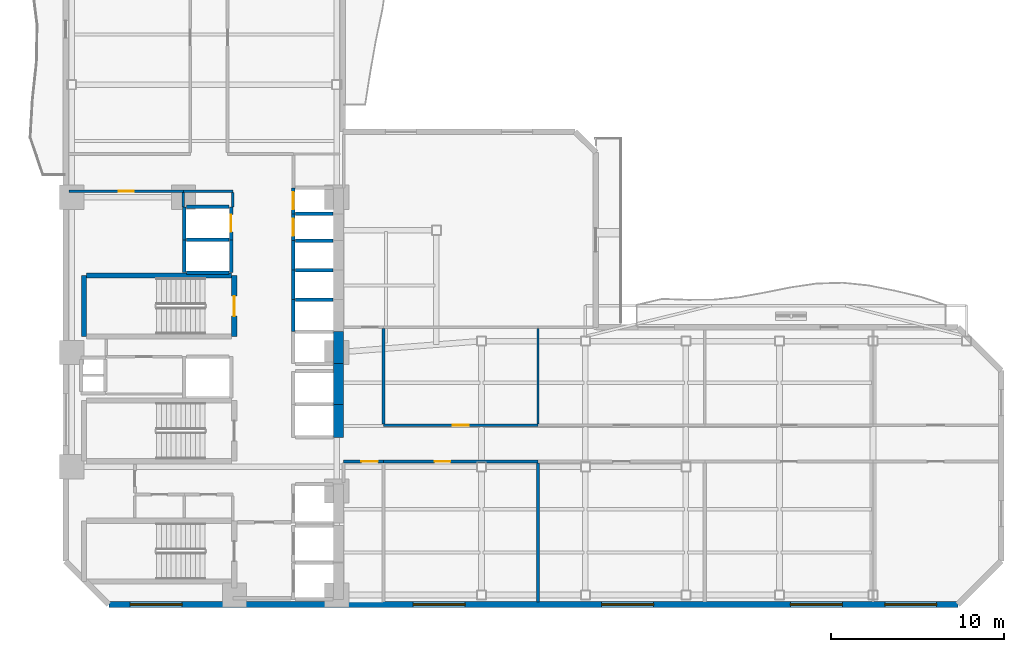
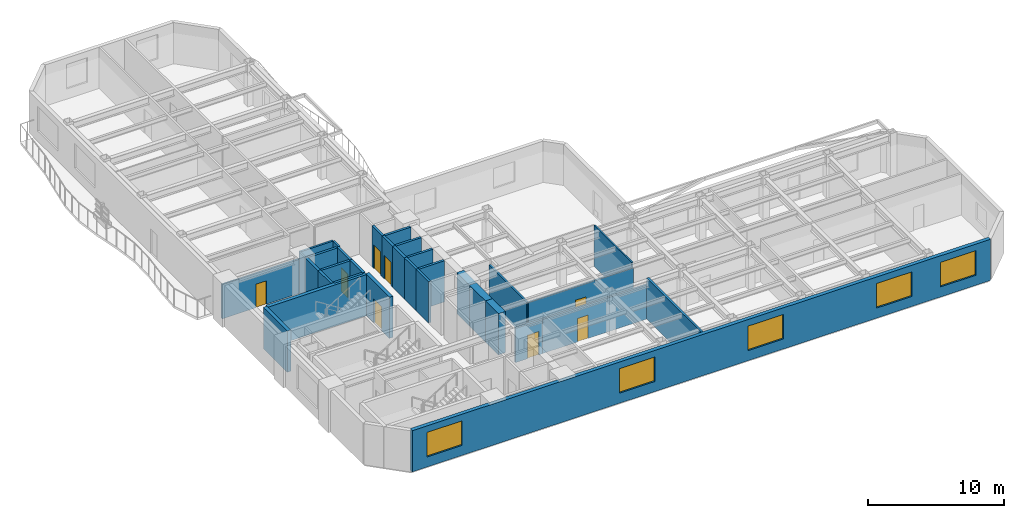
# One storey, part 4 of 10: 33 walls, 8 doors, 5 windows, 13 openings.
"""IFC4 building model written with IfcOpenShell, lengths in metres."""

from ifc_helpers import new_model, si_unit, direction, frame, frame_2d, origin, place, context, subcontext, project, spatial, rectangle, extrude, material, layer, layer_set, type_object, element, fill, save


model = new_model("IFC4")

# Units and contexts
model_context = context("Model", 3, precision=1e-05, world=origin(), true_north=direction((0.0, 1.0)))
body_context = subcontext(model_context, "Body", "Model", "MODEL_VIEW")
ifc_project = project(units=[si_unit("LENGTHUNIT", "METRE"), si_unit("AREAUNIT", "SQUARE_METRE"), si_unit("VOLUMEUNIT", "CUBIC_METRE"), si_unit("PLANEANGLEUNIT", "RADIAN"), si_unit("MASSUNIT", "GRAM", prefix="KILO")], contexts=[model_context])

# Site, building, storey
site_placement = place(None, origin())
site = spatial("IfcSite", under=ifc_project, at=site_placement, CompositionType="ELEMENT")
building_placement = place(site_placement, origin())
building = spatial("IfcBuilding", under=site, at=building_placement, Name="Mawjaban Terraces University", CompositionType="ELEMENT")
storey_placement = place(building_placement, frame((0.0, 0.0, 50.5)))
storey = spatial("IfcBuildingStorey", under=building, at=storey_placement, Name="L11", CompositionType="ELEMENT", Elevation=50.5)

# Wall, opening, door
ifc_material_1 = material(Name="Acoustic masonry blockwork", Category="masonry")
ifc_layer_1 = layer(ifc_material_1, 0.179931640625)
ifc_layer_set_1 = layer_set([ifc_layer_1], Name="Acoustic masonry blockwork")
wall_type_1 = type_object("IfcWallType", Name="AcousticStudioWall_180", PredefinedType="PARTITIONING", material=ifc_layer_set_1)
wall_1_placement = place(storey_placement, frame((38.050048828125, 8.25, 0.0), z_axis=(0.0, 0.0, 1.0), x_axis=(1.0, 0.0, 0.0)))
wall_1 = element("IfcWall", 1, at=wall_1_placement, inside=storey, type_object=wall_type_1, Name="L11 East Academic Corridor Vestibule Partition 14", PredefinedType="PARTITIONING", context=body_context, shape_type="SweptSolid", body=[
    extrude(rectangle(XDim=2.300048828125, YDim=0.179931640625, at=frame_2d((1.14990234375, 0.0))), origin(), (0.0, 0.0, 1.0), 3.054931640625),
])
opening_1_placement = place(wall_1_placement, frame((1.02490234375, 0.0, 0.0)))
opening_1 = element("IfcOpeningElement", 2, at=opening_1_placement, cuts=wall_1, Name="Opening ID-095", PredefinedType="OPENING", context=body_context, shape_type="SweptSolid", body=[
    extrude(rectangle(XDim=0.949951171875, YDim=2.10009765625, at=frame_2d((0.47509765625, 1.050048828125))), frame((0.0, 0.099853515625, 0.0), z_axis=(0.0, -1.0, 0.0), x_axis=(1.0, 0.0, 0.0)), (0.0, 0.0, 1.0), 0.199951171875),
])
ifc_material_2 = material(Name="Powder-coated steel frame and solid acoustic timber leaf", Category="steel")
door_type_1 = type_object("IfcDoorType", Name="StudioDoor_950x2100", OperationType="NOTDEFINED", PredefinedType="DOOR", material=ifc_material_2)
door_1_placement = place(opening_1_placement, origin())
door_1 = element("IfcDoor", 3, at=door_1_placement, inside=storey, type_object=door_type_1, Name="L11 Media Workshop 1 Door", OperationType="SINGLE_SWING_LEFT", OverallHeight=2.10009765625, OverallWidth=0.949951171875, PredefinedType="DOOR", context=body_context, shape_type="SweptSolid", body=[
    extrude(rectangle(XDim=0.949951171875, YDim=2.10009765625, at=frame_2d((0.47509765625, 1.050048828125))), frame((0.0, 0.02490234375, 0.0), z_axis=(0.0, -1.0, 0.0), x_axis=(1.0, 0.0, 0.0)), (0.0, 0.0, 1.0), 0.050048828125),
])
fill(opening_1, door_1)

# Walls
wall_2_placement = place(storey_placement, frame((49.260009765625, 0.155029296875, 0.0), z_axis=(0.0, 0.0, 1.0), x_axis=(0.0, 1.0, 0.0)))
element("IfcWall", 4, at=wall_2_placement, inside=storey, type_object=wall_type_1, Name="L11 Quiet Reading Room 2 Partition 42", PredefinedType="PARTITIONING", context=body_context, shape_type="SweptSolid", body=[
    extrude(rectangle(XDim=8.010009765625, YDim=0.179931640625, at=frame_2d((4.0048828125, 0.0))), origin(), (0.0, 0.0, 1.0), 3.68994140625),
])
ifc_material_3 = material(Name="Concrete C70/85", Category="concrete")
ifc_layer_2 = layer(ifc_material_3, 0.60009765625)
ifc_layer_set_2 = layer_set([ifc_layer_2], Name="Concrete C70/85")
wall_type_2 = type_object("IfcWallType", Name="CoreShearWall_600", PredefinedType="SHEAR", material=ifc_layer_set_2)
wall_3_placement = place(storey_placement, frame((37.75, 9.64990234375, 0.0), z_axis=(0.0, 0.0, 1.0), x_axis=(0.0, 1.0, 0.0)))
element("IfcWall", 5, at=wall_3_placement, inside=storey, type_object=wall_type_2, Name="L11 Lift PL-H1 Hoistway Wall East", PredefinedType="SHEAR", context=body_context, shape_type="SweptSolid", body=[
    extrude(rectangle(XDim=1.900146484375, YDim=0.60009765625, at=frame_2d((0.9501953125, 0.0))), origin(), (0.0, 0.0, 1.0), 3.68994140625),
])
wall_4_placement = place(storey_placement, frame((37.75, 11.550048828125, 0.0), z_axis=(0.0, 0.0, 1.0), x_axis=(0.0, 1.0, 0.0)))
element("IfcWall", 6, at=wall_4_placement, inside=storey, type_object=wall_type_2, Name="L11 Lift PL-H2 Hoistway Wall East", PredefinedType="SHEAR", context=body_context, shape_type="SweptSolid", body=[
    extrude(rectangle(XDim=2.349853515625, YDim=0.60009765625, at=frame_2d((1.1748046875, 0.0))), origin(), (0.0, 0.0, 1.0), 3.68994140625),
])
wall_5_placement = place(storey_placement, frame((37.75, 13.89990234375, 0.0), z_axis=(0.0, 0.0, 1.0), x_axis=(0.0, 1.0, 0.0)))
element("IfcWall", 7, at=wall_5_placement, inside=storey, type_object=wall_type_2, Name="L11 Lift OL-1 Hoistway Wall East", PredefinedType="SHEAR", context=body_context, shape_type="SweptSolid", body=[
    extrude(rectangle(XDim=1.85009765625, YDim=0.60009765625, at=frame_2d((0.925048828125, 0.0))), origin(), (0.0, 0.0, 1.0), 3.68994140625),
])

# Wall, opening, door
ifc_material_4 = material(Name="Fire-rated gypsum board on steel stud", Category="steel")
ifc_layer_3 = layer(ifc_material_4, 0.159912109375)
ifc_layer_set_3 = layer_set([ifc_layer_3], Name="Fire-rated gypsum board on steel stud")
wall_type_3 = type_object("IfcWallType", Name="CorridorPartition_160", PredefinedType="PARTITIONING", material=ifc_layer_set_3)
wall_6_placement = place(storey_placement, frame((28.800048828125, 23.85009765625, 0.0), z_axis=(0.0, 0.0, 1.0), x_axis=(-1.0, 0.0, 0.0)))
wall_6 = element("IfcWall", 8, at=wall_6_placement, inside=storey, type_object=wall_type_3, Name="L11 Female Toilet Partition 4", PredefinedType="PARTITIONING", context=body_context, shape_type="SweptSolid", body=[
    extrude(rectangle(XDim=6.60009765625, YDim=0.159912109375, at=frame_2d((3.300048828125, 0.0))), origin(), (0.0, 0.0, 1.0), 3.054931640625),
])
opening_2_placement = place(wall_6_placement, frame((2.860107421875, 0.0, 0.0)))
opening_2 = element("IfcOpeningElement", 9, at=opening_2_placement, cuts=wall_6, Name="Opening ID-088", PredefinedType="OPENING", context=body_context, shape_type="SweptSolid", body=[
    extrude(rectangle(XDim=0.8798828125, YDim=2.10009765625, at=frame_2d((0.43994140625, 1.050048828125))), frame((0.0, 0.08984375, 0.0), z_axis=(0.0, -1.0, 0.0), x_axis=(1.0, 0.0, 0.0)), (0.0, 0.0, 1.0), 0.179931640625),
])
door_type_2 = type_object("IfcDoorType", Name="ToiletDoor_880x2100", OperationType="NOTDEFINED", PredefinedType="DOOR", material=ifc_material_2)
door_2_placement = place(opening_2_placement, origin())
door_2 = element("IfcDoor", 10, at=door_2_placement, inside=storey, type_object=door_type_2, Name="L11 Female Toilet Door", OperationType="SINGLE_SWING_RIGHT", OverallHeight=2.10009765625, OverallWidth=0.8798828125, PredefinedType="DOOR", context=body_context, shape_type="SweptSolid", body=[
    extrude(rectangle(XDim=0.8798828125, YDim=2.10009765625, at=frame_2d((0.43994140625, 1.050048828125))), frame((0.0, 0.02490234375, 0.0), z_axis=(0.0, -1.0, 0.0), x_axis=(1.0, 0.0, 0.0)), (0.0, 0.0, 1.0), 0.050048828125),
])
fill(opening_2, door_2)

# Wall
wall_7_placement = place(storey_placement, frame((28.800048828125, 23.85009765625, 0.0), z_axis=(0.0, 0.0, 1.0), x_axis=(1.0, 0.0, 0.0)))
element("IfcWall", 11, at=wall_7_placement, inside=storey, type_object=wall_type_3, Name="L11 North Core Cross-Corridor Partition 5", PredefinedType="PARTITIONING", context=body_context, shape_type="SweptSolid", body=[
    extrude(rectangle(XDim=2.849853515625, YDim=0.159912109375, at=frame_2d((1.4248046875, 0.0))), origin(), (0.0, 0.0, 1.0), 3.68994140625),
])

# Wall, opening, door
wall_8_placement = place(storey_placement, frame((40.35009765625, 8.25, 0.0), z_axis=(0.0, 0.0, 1.0), x_axis=(1.0, 0.0, 0.0)))
wall_8 = element("IfcWall", 12, at=wall_8_placement, inside=storey, type_object=wall_type_3, Name="L11 East Academic Spine Corridor Partition 15", PredefinedType="PARTITIONING", context=body_context, shape_type="SweptSolid", body=[
    extrude(rectangle(XDim=8.909912109375, YDim=0.159912109375, at=frame_2d((4.455078125, 0.0))), origin(), (0.0, 0.0, 1.0), 3.054931640625),
])
opening_3_placement = place(wall_8_placement, frame((2.955078125, 0.0, 0.0)))
opening_3 = element("IfcOpeningElement", 13, at=opening_3_placement, cuts=wall_8, Name="Opening ID-090", PredefinedType="OPENING", context=body_context, shape_type="SweptSolid", body=[
    extrude(rectangle(XDim=0.89990234375, YDim=2.10009765625, at=frame_2d((0.449951171875, 1.050048828125))), frame((0.0, 0.08984375, 0.0), z_axis=(0.0, -1.0, 0.0), x_axis=(1.0, 0.0, 0.0)), (0.0, 0.0, 1.0), 0.179931640625),
])
door_type_3 = type_object("IfcDoorType", Name="OfficeDoor_900x2100", OperationType="NOTDEFINED", PredefinedType="DOOR", material=ifc_material_2)
door_3_placement = place(opening_3_placement, origin())
door_3 = element("IfcDoor", 14, at=door_3_placement, inside=storey, type_object=door_type_3, Name="L11 Quiet Reading Room 2 Door", OperationType="SINGLE_SWING_RIGHT", OverallHeight=2.10009765625, OverallWidth=0.89990234375, PredefinedType="DOOR", context=body_context, shape_type="SweptSolid", body=[
    extrude(rectangle(XDim=0.89990234375, YDim=2.10009765625, at=frame_2d((0.449951171875, 1.050048828125))), frame((0.0, 0.02490234375, 0.0), z_axis=(0.0, -1.0, 0.0), x_axis=(1.0, 0.0, 0.0)), (0.0, 0.0, 1.0), 0.050048828125),
])
fill(opening_3, door_3)

wall_9_placement = place(storey_placement, frame((49.260009765625, 10.35009765625, 0.0), z_axis=(0.0, 0.0, 1.0), x_axis=(-1.0, 0.0, 0.0)))
wall_9 = element("IfcWall", 15, at=wall_9_placement, inside=storey, type_object=wall_type_3, Name="L11 East Academic Spine Corridor Partition 18", PredefinedType="PARTITIONING", context=body_context, shape_type="SweptSolid", body=[
    extrude(rectangle(XDim=8.909912109375, YDim=0.159912109375, at=frame_2d((4.455078125, 0.0))), origin(), (0.0, 0.0, 1.0), 3.277099609375),
])
opening_4_placement = place(wall_9_placement, frame((4.0048828125, 0.0, 0.0)))
opening_4 = element("IfcOpeningElement", 16, at=opening_4_placement, cuts=wall_9, Name="Opening ID-090", PredefinedType="OPENING", context=body_context, shape_type="SweptSolid", body=[
    extrude(rectangle(XDim=0.89990234375, YDim=2.10009765625, at=frame_2d((0.449951171875, 1.050048828125))), frame((0.0, 0.08984375, 0.0), z_axis=(0.0, -1.0, 0.0), x_axis=(1.0, 0.0, 0.0)), (0.0, 0.0, 1.0), 0.179931640625),
])
door_4_placement = place(opening_4_placement, origin())
door_4 = element("IfcDoor", 17, at=door_4_placement, inside=storey, type_object=door_type_3, Name="L11 Reading Salon 3 Door", OperationType="SINGLE_SWING_LEFT", OverallHeight=2.10009765625, OverallWidth=0.89990234375, PredefinedType="DOOR", context=body_context, shape_type="SweptSolid", body=[
    extrude(rectangle(XDim=0.89990234375, YDim=2.10009765625, at=frame_2d((0.449951171875, 1.050048828125))), frame((0.0, 0.02490234375, 0.0), z_axis=(0.0, -1.0, 0.0), x_axis=(1.0, 0.0, 0.0)), (0.0, 0.0, 1.0), 0.050048828125),
])
fill(opening_4, door_4)

# Walls
wall_10_placement = place(storey_placement, frame((31.64990234375, 23.77490234375, 0.0), z_axis=(0.0, 0.0, 1.0), x_axis=(0.0, -1.0, 0.0)))
element("IfcWall", 18, at=wall_10_placement, inside=storey, type_object=wall_type_3, Name="L11 Passenger Lift Lobby Partition 36", PredefinedType="PARTITIONING", context=body_context, shape_type="SweptSolid", body=[
    extrude(rectangle(XDim=0.824951171875, YDim=0.159912109375, at=frame_2d((0.41259765625, 0.0))), origin(), (0.0, 0.0, 1.0), 3.68994140625),
])
wall_11_placement = place(storey_placement, frame((40.35009765625, 10.425048828125, 0.0), z_axis=(0.0, 0.0, 1.0), x_axis=(0.0, 1.0, 0.0)))
element("IfcWall", 19, at=wall_11_placement, inside=storey, type_object=wall_type_3, Name="L11 East Academic Corridor Vestibule Partition 41", PredefinedType="PARTITIONING", context=body_context, shape_type="SweptSolid", body=[
    extrude(rectangle(XDim=5.5, YDim=0.159912109375, at=frame_2d((2.75, 0.0))), origin(), (0.0, 0.0, 1.0), 3.277099609375),
])

# Wall, openings, windows
ifc_material_5 = material(Name="Insulated terracotta rainscreen on concrete backup C40/50", Category="masonry")
ifc_layer_4 = layer(ifc_material_5, 0.320068359375)
ifc_layer_set_4 = layer_set([ifc_layer_4], Name="Insulated terracotta rainscreen on concrete backup C40/50")
wall_type_4 = type_object("IfcWallType", Name="ExtTerracottaWall_320", PredefinedType="SOLIDWALL", material=ifc_layer_set_4)
wall_12_placement = place(storey_placement, frame((24.5, 0.0, 0.0), z_axis=(0.0, 0.0, 1.0), x_axis=(1.0, 0.0, 0.0)))
wall_12 = element("IfcWall", 20, at=wall_12_placement, inside=storey, type_object=wall_type_4, Name="L11 Exterior Terracotta Wall 1", PredefinedType="SOLIDWALL", context=body_context, shape_type="SweptSolid", body=[
    extrude(rectangle(XDim=49.0, YDim=0.320068359375, at=frame_2d((24.5, 0.0))), origin(), (0.0, 0.0, 1.0), 3.68994140625),
])
opening_5_placement = place(wall_12_placement, frame((1.221923828125, 0.0, 0.89990234375)))
opening_5 = element("IfcOpeningElement", 21, at=opening_5_placement, cuts=wall_12, Name="Opening W-12", PredefinedType="OPENING", context=body_context, shape_type="SweptSolid", body=[
    extrude(rectangle(XDim=3.0, YDim=2.199951171875, at=frame_2d((1.5, 1.10009765625))), frame((0.0, 0.169921875, 0.0), z_axis=(0.0, -1.0, 0.0), x_axis=(1.0, 0.0, 0.0)), (0.0, 0.0, 1.0), 0.340087890625),
])
opening_6_placement = place(wall_12_placement, frame((17.555908203125, 0.0, 0.89990234375)))
opening_6 = element("IfcOpeningElement", 22, at=opening_6_placement, cuts=wall_12, Name="Opening W-12", PredefinedType="OPENING", context=body_context, shape_type="SweptSolid", body=[
    extrude(rectangle(XDim=3.0, YDim=2.199951171875, at=frame_2d((1.5, 1.10009765625))), frame((0.0, 0.169921875, 0.0), z_axis=(0.0, -1.0, 0.0), x_axis=(1.0, 0.0, 0.0)), (0.0, 0.0, 1.0), 0.340087890625),
])
opening_7_placement = place(wall_12_placement, frame((28.444091796875, 0.0, 0.89990234375)))
opening_7 = element("IfcOpeningElement", 23, at=opening_7_placement, cuts=wall_12, Name="Opening W-12", PredefinedType="OPENING", context=body_context, shape_type="SweptSolid", body=[
    extrude(rectangle(XDim=3.0, YDim=2.199951171875, at=frame_2d((1.5, 1.10009765625))), frame((0.0, 0.169921875, 0.0), z_axis=(0.0, -1.0, 0.0), x_axis=(1.0, 0.0, 0.0)), (0.0, 0.0, 1.0), 0.340087890625),
])
opening_8_placement = place(wall_12_placement, frame((39.3330078125, 0.0, 0.89990234375)))
opening_8 = element("IfcOpeningElement", 24, at=opening_8_placement, cuts=wall_12, Name="Opening W-12", PredefinedType="OPENING", context=body_context, shape_type="SweptSolid", body=[
    extrude(rectangle(XDim=3.0, YDim=2.199951171875, at=frame_2d((1.5, 1.10009765625))), frame((0.0, 0.169921875, 0.0), z_axis=(0.0, -1.0, 0.0), x_axis=(1.0, 0.0, 0.0)), (0.0, 0.0, 1.0), 0.340087890625),
])
opening_9_placement = place(wall_12_placement, frame((44.778076171875, 0.0, 0.89990234375)))
opening_9 = element("IfcOpeningElement", 25, at=opening_9_placement, cuts=wall_12, Name="Opening W-12", PredefinedType="OPENING", context=body_context, shape_type="SweptSolid", body=[
    extrude(rectangle(XDim=3.0, YDim=2.199951171875, at=frame_2d((1.5, 1.10009765625))), frame((0.0, 0.169921875, 0.0), z_axis=(0.0, -1.0, 0.0), x_axis=(1.0, 0.0, 0.0)), (0.0, 0.0, 1.0), 0.340087890625),
])
ifc_material_6 = material(Name="Low-E solar-control double glazing in thermally broken aluminium frame", Category="aluminium")
window_type = type_object("IfcWindowType", Name="Win_3000x2200", PartitioningType="SINGLE_PANEL", PredefinedType="WINDOW", material=ifc_material_6)
window_1_placement = place(opening_5_placement, origin())
window_1 = element("IfcWindow", 26, at=window_1_placement, inside=storey, type_object=window_type, Name="L11 Facade Window 1.1", OverallHeight=2.199951171875, OverallWidth=3.0, PartitioningType="SINGLE_PANEL", PredefinedType="WINDOW", context=body_context, shape_type="SweptSolid", body=[
    extrude(rectangle(XDim=3.0, YDim=2.199951171875, at=frame_2d((1.5, 1.10009765625))), frame((0.0, 0.030029296875, 0.0), z_axis=(0.0, -1.0, 0.0), x_axis=(1.0, 0.0, 0.0)), (0.0, 0.0, 1.0), 0.06005859375),
])
fill(opening_5, window_1)
window_2_placement = place(opening_6_placement, origin())
window_2 = element("IfcWindow", 27, at=window_2_placement, inside=storey, type_object=window_type, Name="L11 Facade Window 1.4", OverallHeight=2.199951171875, OverallWidth=3.0, PartitioningType="SINGLE_PANEL", PredefinedType="WINDOW", context=body_context, shape_type="SweptSolid", body=[
    extrude(rectangle(XDim=3.0, YDim=2.199951171875, at=frame_2d((1.5, 1.10009765625))), frame((0.0, 0.030029296875, 0.0), z_axis=(0.0, -1.0, 0.0), x_axis=(1.0, 0.0, 0.0)), (0.0, 0.0, 1.0), 0.06005859375),
])
fill(opening_6, window_2)
window_3_placement = place(opening_7_placement, origin())
window_3 = element("IfcWindow", 28, at=window_3_placement, inside=storey, type_object=window_type, Name="L11 Facade Window 1.6", OverallHeight=2.199951171875, OverallWidth=3.0, PartitioningType="SINGLE_PANEL", PredefinedType="WINDOW", context=body_context, shape_type="SweptSolid", body=[
    extrude(rectangle(XDim=3.0, YDim=2.199951171875, at=frame_2d((1.5, 1.10009765625))), frame((0.0, 0.030029296875, 0.0), z_axis=(0.0, -1.0, 0.0), x_axis=(1.0, 0.0, 0.0)), (0.0, 0.0, 1.0), 0.06005859375),
])
fill(opening_7, window_3)
window_4_placement = place(opening_8_placement, origin())
window_4 = element("IfcWindow", 29, at=window_4_placement, inside=storey, type_object=window_type, Name="L11 Facade Window 1.8", OverallHeight=2.199951171875, OverallWidth=3.0, PartitioningType="SINGLE_PANEL", PredefinedType="WINDOW", context=body_context, shape_type="SweptSolid", body=[
    extrude(rectangle(XDim=3.0, YDim=2.199951171875, at=frame_2d((1.5, 1.10009765625))), frame((0.0, 0.030029296875, 0.0), z_axis=(0.0, -1.0, 0.0), x_axis=(1.0, 0.0, 0.0)), (0.0, 0.0, 1.0), 0.06005859375),
])
fill(opening_8, window_4)
window_5_placement = place(opening_9_placement, origin())
window_5 = element("IfcWindow", 30, at=window_5_placement, inside=storey, type_object=window_type, Name="L11 Facade Window 1.9", OverallHeight=2.199951171875, OverallWidth=3.0, PartitioningType="SINGLE_PANEL", PredefinedType="WINDOW", context=body_context, shape_type="SweptSolid", body=[
    extrude(rectangle(XDim=3.0, YDim=2.199951171875, at=frame_2d((1.5, 1.10009765625))), frame((0.0, 0.030029296875, 0.0), z_axis=(0.0, -1.0, 0.0), x_axis=(1.0, 0.0, 0.0)), (0.0, 0.0, 1.0), 0.06005859375),
])
fill(opening_9, window_5)

# Walls
ifc_material_7 = material(Name="Concrete C40/50", Category="concrete")
ifc_layer_5 = layer(ifc_material_7, 0.199951171875)
ifc_layer_set_5 = layer_set([ifc_layer_5], Name="Concrete C40/50")
wall_type_5 = type_object("IfcWallType", Name="FireLobbyWall_200", PredefinedType="SOLIDWALL", material=ifc_layer_set_5)
wall_13_placement = place(storey_placement, frame((35.14990234375, 17.60009765625, 0.0), z_axis=(0.0, 0.0, 1.0), x_axis=(0.0, -1.0, 0.0)))
element("IfcWall", 31, at=wall_13_placement, inside=storey, type_object=wall_type_5, Name="L11 Lift OL-2 Hoistway Wall West", PredefinedType="SOLIDWALL", context=body_context, shape_type="SweptSolid", body=[
    extrude(rectangle(XDim=1.85009765625, YDim=0.199951171875, at=frame_2d((0.925048828125, 0.0))), origin(), (0.0, 0.0, 1.0), 3.68994140625),
])
wall_14_placement = place(storey_placement, frame((37.419921875, 17.60009765625, 0.0), z_axis=(0.0, 0.0, 1.0), x_axis=(-1.0, 0.0, 0.0)))
element("IfcWall", 32, at=wall_14_placement, inside=storey, type_object=wall_type_5, Name="L11 Lift OL-2 Hoistway Wall North", PredefinedType="SOLIDWALL", context=body_context, shape_type="SweptSolid", body=[
    extrude(rectangle(XDim=2.139892578125, YDim=0.199951171875, at=frame_2d((1.06982421875, 0.0))), origin(), (0.0, 0.0, 1.0), 3.68994140625),
])
wall_15_placement = place(storey_placement, frame((35.14990234375, 19.300048828125, 0.0), z_axis=(0.0, 0.0, 1.0), x_axis=(0.0, -1.0, 0.0)))
element("IfcWall", 33, at=wall_15_placement, inside=storey, type_object=wall_type_5, Name="L11 Lift PL-M1 Hoistway Wall West", PredefinedType="SOLIDWALL", context=body_context, shape_type="SweptSolid", body=[
    extrude(rectangle(XDim=1.699951171875, YDim=0.199951171875, at=frame_2d((0.85009765625, 0.0))), origin(), (0.0, 0.0, 1.0), 3.68994140625),
])
wall_16_placement = place(storey_placement, frame((37.419921875, 19.300048828125, 0.0), z_axis=(0.0, 0.0, 1.0), x_axis=(-1.0, 0.0, 0.0)))
element("IfcWall", 34, at=wall_16_placement, inside=storey, type_object=wall_type_5, Name="L11 Lift PL-M1 Hoistway Wall North", PredefinedType="SOLIDWALL", context=body_context, shape_type="SweptSolid", body=[
    extrude(rectangle(XDim=2.139892578125, YDim=0.199951171875, at=frame_2d((1.06982421875, 0.0))), origin(), (0.0, 0.0, 1.0), 3.68994140625),
])
wall_17_placement = place(storey_placement, frame((35.14990234375, 21.0, 0.0), z_axis=(0.0, 0.0, 1.0), x_axis=(0.0, -1.0, 0.0)))
element("IfcWall", 35, at=wall_17_placement, inside=storey, type_object=wall_type_5, Name="L11 Lift PL-M2 Hoistway Wall West", PredefinedType="SOLIDWALL", context=body_context, shape_type="SweptSolid", body=[
    extrude(rectangle(XDim=1.699951171875, YDim=0.199951171875, at=frame_2d((0.85009765625, 0.0))), origin(), (0.0, 0.0, 1.0), 3.68994140625),
])
wall_18_placement = place(storey_placement, frame((37.419921875, 21.0, 0.0), z_axis=(0.0, 0.0, 1.0), x_axis=(-1.0, 0.0, 0.0)))
element("IfcWall", 36, at=wall_18_placement, inside=storey, type_object=wall_type_5, Name="L11 Lift PL-M2 Hoistway Wall North", PredefinedType="SOLIDWALL", context=body_context, shape_type="SweptSolid", body=[
    extrude(rectangle(XDim=2.139892578125, YDim=0.199951171875, at=frame_2d((1.06982421875, 0.0))), origin(), (0.0, 0.0, 1.0), 3.68994140625),
])
for number, where, z_axis, x_axis, name in (
    (37, (28.85009765625, 21.050048828125, 0.0), (0.0, 0.0, 1.0), (0.0, -1.0, 0.0), "L11 Lift PL-M3 Hoistway Wall West"),
    (38, (31.550048828125, 19.14990234375, 0.0), (0.0, 0.0, 1.0), (0.0, 1.0, 0.0), "L11 Lift PL-M3 Hoistway Wall East"),
):
    element("IfcWall", number, at=place(storey_placement, frame(where, z_axis=z_axis, x_axis=x_axis)), inside=storey, type_object=wall_type_5, Name=name, PredefinedType="SOLIDWALL", context=body_context, shape_type="SweptSolid", body=[
        extrude(rectangle(XDim=1.900146484375, YDim=0.199951171875, at=frame_2d((0.9501953125, 0.0))), origin(), (0.0, 0.0, 1.0), 3.68994140625),
    ])
for number, where, z_axis, x_axis, name in (
    (39, (28.97998046875, 19.14990234375, 0.0), (0.0, 0.0, 1.0), (1.0, 0.0, 0.0), "L11 Lift PL-M3 Hoistway Wall South"),
    (40, (31.419921875, 21.050048828125, 0.0), (0.0, 0.0, 1.0), (-1.0, 0.0, 0.0), "L11 Lift PL-M3 Hoistway Wall North"),
):
    element("IfcWall", number, at=place(storey_placement, frame(where, z_axis=z_axis, x_axis=x_axis)), inside=storey, type_object=wall_type_5, Name=name, PredefinedType="SOLIDWALL", context=body_context, shape_type="SweptSolid", body=[
        extrude(rectangle(XDim=2.43994140625, YDim=0.199951171875, at=frame_2d((1.219970703125, 0.0))), origin(), (0.0, 0.0, 1.0), 3.68994140625),
    ])

# Wall, opening, door
wall_19_placement = place(storey_placement, frame((35.14990234375, 22.550048828125, 0.0), z_axis=(0.0, 0.0, 1.0), x_axis=(0.0, -1.0, 0.0)))
wall_19 = element("IfcWall", 41, at=wall_19_placement, inside=storey, type_object=wall_type_5, Name="L11 Lift PL-L1 Hoistway Wall West", PredefinedType="SOLIDWALL", context=body_context, shape_type="SweptSolid", body=[
    extrude(rectangle(XDim=1.550048828125, YDim=0.199951171875, at=frame_2d((0.77490234375, 0.0))), origin(), (0.0, 0.0, 1.0), 3.68994140625),
])
opening_10_placement = place(wall_19_placement, frame((0.27490234375, 0.0, 0.0)))
opening_10 = element("IfcOpeningElement", 42, at=opening_10_placement, cuts=wall_19, Name="Opening LD-PL-L1", PredefinedType="OPENING", context=body_context, shape_type="SweptSolid", body=[
    extrude(rectangle(XDim=1.0, YDim=2.10009765625, at=frame_2d((0.5, 1.050048828125))), frame((0.0, 0.10986328125, 0.0), z_axis=(0.0, -1.0, 0.0), x_axis=(1.0, 0.0, 0.0)), (0.0, 0.0, 1.0), 0.219970703125),
])
ifc_material_8 = material(Name="Powder-coated steel frame and fire-rated steel-faced leaf", Category="steel")
door_type_4 = type_object("IfcDoorType", Name="LiftLandingSliding_1000x2100", OperationType="NOTDEFINED", PredefinedType="DOOR", material=ifc_material_8)
door_5_placement = place(opening_10_placement, origin())
door_5 = element("IfcDoor", 43, at=door_5_placement, inside=storey, type_object=door_type_4, Name="L11 Lift PL-L1 Sliding Landing Door", OperationType="DOUBLE_DOOR_SLIDING", OverallHeight=2.10009765625, OverallWidth=1.0, PredefinedType="DOOR", context=body_context, shape_type="SweptSolid", body=[
    extrude(rectangle(XDim=1.0, YDim=2.10009765625, at=frame_2d((0.5, 1.050048828125))), frame((0.0, 0.02490234375, 0.0), z_axis=(0.0, -1.0, 0.0), x_axis=(1.0, 0.0, 0.0)), (0.0, 0.0, 1.0), 0.050048828125),
])
fill(opening_10, door_5)

# Wall
wall_20_placement = place(storey_placement, frame((37.419921875, 22.550048828125, 0.0), z_axis=(0.0, 0.0, 1.0), x_axis=(-1.0, 0.0, 0.0)))
element("IfcWall", 44, at=wall_20_placement, inside=storey, type_object=wall_type_5, Name="L11 Lift PL-L1 Hoistway Wall North", PredefinedType="SOLIDWALL", context=body_context, shape_type="SweptSolid", body=[
    extrude(rectangle(XDim=2.139892578125, YDim=0.199951171875, at=frame_2d((1.06982421875, 0.0))), origin(), (0.0, 0.0, 1.0), 3.68994140625),
])

# Wall, opening, door
wall_21_placement = place(storey_placement, frame((35.14990234375, 24.050048828125, 0.0), z_axis=(0.0, 0.0, 1.0), x_axis=(0.0, -1.0, 0.0)))
wall_21 = element("IfcWall", 45, at=wall_21_placement, inside=storey, type_object=wall_type_5, Name="L11 Lift PL-L2 Hoistway Wall West", PredefinedType="SOLIDWALL", context=body_context, shape_type="SweptSolid", body=[
    extrude(rectangle(XDim=1.5, YDim=0.199951171875, at=frame_2d((0.75, 0.0))), origin(), (0.0, 0.0, 1.0), 3.68994140625),
])
opening_11_placement = place(wall_21_placement, frame((0.25, 0.0, 0.0)))
opening_11 = element("IfcOpeningElement", 46, at=opening_11_placement, cuts=wall_21, Name="Opening LD-PL-L2", PredefinedType="OPENING", context=body_context, shape_type="SweptSolid", body=[
    extrude(rectangle(XDim=1.0, YDim=2.10009765625, at=frame_2d((0.5, 1.050048828125))), frame((0.0, 0.10986328125, 0.0), z_axis=(0.0, -1.0, 0.0), x_axis=(1.0, 0.0, 0.0)), (0.0, 0.0, 1.0), 0.219970703125),
])
door_6_placement = place(opening_11_placement, origin())
door_6 = element("IfcDoor", 47, at=door_6_placement, inside=storey, type_object=door_type_4, Name="L11 Lift PL-L2 Sliding Landing Door", OperationType="DOUBLE_DOOR_SLIDING", OverallHeight=2.10009765625, OverallWidth=1.0, PredefinedType="DOOR", context=body_context, shape_type="SweptSolid", body=[
    extrude(rectangle(XDim=1.0, YDim=2.10009765625, at=frame_2d((0.5, 1.050048828125))), frame((0.0, 0.02490234375, 0.0), z_axis=(0.0, -1.0, 0.0), x_axis=(1.0, 0.0, 0.0)), (0.0, 0.0, 1.0), 0.050048828125),
])
fill(opening_11, door_6)

# Wall
wall_22_placement = place(storey_placement, frame((28.85009765625, 22.949951171875, 0.0), z_axis=(0.0, 0.0, 1.0), x_axis=(0.0, -1.0, 0.0)))
element("IfcWall", 48, at=wall_22_placement, inside=storey, type_object=wall_type_5, Name="L11 Lift PL-L3 Hoistway Wall West", PredefinedType="SOLIDWALL", context=body_context, shape_type="SweptSolid", body=[
    extrude(rectangle(XDim=1.89990234375, YDim=0.199951171875, at=frame_2d((0.949951171875, 0.0))), origin(), (0.0, 0.0, 1.0), 3.68994140625),
])

# Wall, opening, door
wall_23_placement = place(storey_placement, frame((31.550048828125, 21.050048828125, 0.0), z_axis=(0.0, 0.0, 1.0), x_axis=(0.0, 1.0, 0.0)))
wall_23 = element("IfcWall", 49, at=wall_23_placement, inside=storey, type_object=wall_type_5, Name="L11 Lift PL-L3 Hoistway Wall East", PredefinedType="SOLIDWALL", context=body_context, shape_type="SweptSolid", body=[
    extrude(rectangle(XDim=1.89990234375, YDim=0.199951171875, at=frame_2d((0.949951171875, 0.0))), origin(), (0.0, 0.0, 1.0), 3.68994140625),
])
opening_12_placement = place(wall_23_placement, frame((0.449951171875, 0.0, 0.0)))
opening_12 = element("IfcOpeningElement", 50, at=opening_12_placement, cuts=wall_23, Name="Opening LD-PL-L3", PredefinedType="OPENING", context=body_context, shape_type="SweptSolid", body=[
    extrude(rectangle(XDim=1.0, YDim=2.10009765625, at=frame_2d((0.5, 1.050048828125))), frame((0.0, 0.10986328125, 0.0), z_axis=(0.0, -1.0, 0.0), x_axis=(1.0, 0.0, 0.0)), (0.0, 0.0, 1.0), 0.219970703125),
])
door_7_placement = place(opening_12_placement, origin())
door_7 = element("IfcDoor", 51, at=door_7_placement, inside=storey, type_object=door_type_4, Name="L11 Lift PL-L3 Sliding Landing Door", OperationType="DOUBLE_DOOR_SLIDING", OverallHeight=2.10009765625, OverallWidth=1.0, PredefinedType="DOOR", context=body_context, shape_type="SweptSolid", body=[
    extrude(rectangle(XDim=1.0, YDim=2.10009765625, at=frame_2d((0.5, 1.050048828125))), frame((0.0, 0.02490234375, 0.0), z_axis=(0.0, -1.0, 0.0), x_axis=(1.0, 0.0, 0.0)), (0.0, 0.0, 1.0), 0.050048828125),
])
fill(opening_12, door_7)

# Walls
wall_24_placement = place(storey_placement, frame((31.429931640625, 22.949951171875, 0.0), z_axis=(0.0, 0.0, 1.0), x_axis=(-1.0, 0.0, 0.0)))
element("IfcWall", 52, at=wall_24_placement, inside=storey, type_object=wall_type_5, Name="L11 Lift PL-L3 Hoistway Wall North", PredefinedType="SOLIDWALL", context=body_context, shape_type="SweptSolid", body=[
    extrude(rectangle(XDim=2.4599609375, YDim=0.199951171875, at=frame_2d((1.22998046875, 0.0))), origin(), (0.0, 0.0, 1.0), 3.68994140625),
])
ifc_material_9 = material(Name="Gypsum plasterboard on steel stud", Category="steel")
ifc_layer_6 = layer(ifc_material_9, 0.125)
ifc_layer_set_6 = layer_set([ifc_layer_6], Name="Gypsum plasterboard on steel stud")
wall_type_6 = type_object("IfcWallType", Name="OfficePartition_125", PredefinedType="PARTITIONING", material=ifc_layer_set_6)
wall_25_placement = place(storey_placement, frame((49.260009765625, 10.425048828125, 0.0), z_axis=(0.0, 0.0, 1.0), x_axis=(0.0, 1.0, 0.0)))
element("IfcWall", 53, at=wall_25_placement, inside=storey, type_object=wall_type_6, Name="L11 Reading Salon 3 Partition 43", PredefinedType="PARTITIONING", context=body_context, shape_type="SweptSolid", body=[
    extrude(rectangle(XDim=5.51806640625, YDim=0.125, at=frame_2d((2.759033203125, 0.0))), origin(), (0.0, 0.0, 1.0), 3.68994140625),
])
ifc_material_10 = material(Name="Concrete C60/75", Category="concrete")
ifc_layer_7 = layer(ifc_material_10, 0.300048828125)
ifc_layer_set_7 = layer_set([ifc_layer_7], Name="Concrete C60/75")
wall_type_7 = type_object("IfcWallType", Name="StairShaftWall_300", PredefinedType="SHEAR", material=ifc_layer_set_7)
wall_26_placement = place(storey_placement, frame((31.580078125, 18.97998046875, 0.0), z_axis=(0.0, 0.0, 1.0), x_axis=(-1.0, 0.0, 0.0)))
element("IfcWall", 54, at=wall_26_placement, inside=storey, type_object=wall_type_7, Name="L11 ST-2 Stair Shaft Wall 1", PredefinedType="SHEAR", context=body_context, shape_type="SweptSolid", body=[
    extrude(rectangle(XDim=8.360107421875, YDim=0.300048828125, at=frame_2d((4.18017578125, 0.0))), origin(), (0.0, 0.0, 1.0), 3.68994140625),
])
wall_27_placement = place(storey_placement, frame((23.070068359375, 18.97998046875, 0.0), z_axis=(0.0, 0.0, 1.0), x_axis=(0.0, -1.0, 0.0)))
element("IfcWall", 55, at=wall_27_placement, inside=storey, type_object=wall_type_7, Name="L11 ST-2 Stair Shaft Wall 2", PredefinedType="SHEAR", context=body_context, shape_type="SweptSolid", body=[
    extrude(rectangle(XDim=3.510009765625, YDim=0.300048828125, at=frame_2d((1.7548828125, 0.0))), origin(), (0.0, 0.0, 1.0), 3.68994140625),
])

# Wall, opening, door
wall_28_placement = place(storey_placement, frame((31.72998046875, 15.469970703125, 0.0), z_axis=(0.0, 0.0, 1.0), x_axis=(0.0, 1.0, 0.0)))
wall_28 = element("IfcWall", 56, at=wall_28_placement, inside=storey, type_object=wall_type_7, Name="L11 ST-2 Stair Shaft Wall 4", PredefinedType="SHEAR", context=body_context, shape_type="SweptSolid", body=[
    extrude(rectangle(XDim=3.510009765625, YDim=0.300048828125, at=frame_2d((1.7548828125, 0.0))), origin(), (0.0, 0.0, 1.0), 3.68994140625),
])
opening_13_placement = place(wall_28_placement, frame((1.179931640625, 0.0, 0.0)))
opening_13 = element("IfcOpeningElement", 57, at=opening_13_placement, cuts=wall_28, Name="Opening FD-115", PredefinedType="OPENING", context=body_context, shape_type="SweptSolid", body=[
    extrude(rectangle(XDim=1.14990234375, YDim=2.14990234375, at=frame_2d((0.574951171875, 1.074951171875))), frame((0.0, 0.159912109375, 0.0), z_axis=(0.0, -1.0, 0.0), x_axis=(1.0, 0.0, 0.0)), (0.0, 0.0, 1.0), 0.320068359375),
])
door_type_5 = type_object("IfcDoorType", Name="FireStairDoor_1150x2150", OperationType="NOTDEFINED", PredefinedType="DOOR", material=ifc_material_8)
door_8_placement = place(opening_13_placement, origin())
door_8 = element("IfcDoor", 58, at=door_8_placement, inside=storey, type_object=door_type_5, Name="L11 ST-2 Pressurised Stair Fire Door", OperationType="SINGLE_SWING_LEFT", OverallHeight=2.14990234375, OverallWidth=1.14990234375, PredefinedType="DOOR", context=body_context, shape_type="SweptSolid", body=[
    extrude(rectangle(XDim=1.14990234375, YDim=2.14990234375, at=frame_2d((0.574951171875, 1.074951171875))), frame((0.0, 0.02490234375, 0.0), z_axis=(0.0, -1.0, 0.0), x_axis=(1.0, 0.0, 0.0)), (0.0, 0.0, 1.0), 0.050048828125),
])
fill(opening_13, door_8)

# Wall
ifc_material_11 = material(Name="Cement-board wet-room partition", Category="masonry")
ifc_layer_8 = layer(ifc_material_11, 0.135009765625)
ifc_layer_set_8 = layer_set([ifc_layer_8], Name="Cement-board wet-room partition")
wall_type_8 = type_object("IfcWallType", Name="WetRoomPartition_135", PredefinedType="PARTITIONING", material=ifc_layer_set_8)
wall_29_placement = place(storey_placement, frame((28.800048828125, 22.949951171875, 0.0), z_axis=(0.0, 0.0, 1.0), x_axis=(0.0, 1.0, 0.0)))
element("IfcWall", 59, at=wall_29_placement, inside=storey, type_object=wall_type_8, Name="L11 Female Toilet Partition 29", PredefinedType="PARTITIONING", context=body_context, shape_type="SweptSolid", body=[
    extrude(rectangle(XDim=0.824951171875, YDim=0.135009765625, at=frame_2d((0.41259765625, 0.0))), origin(), (0.0, 0.0, 1.0), 3.68994140625),
])

save(model, "model.ifc")
